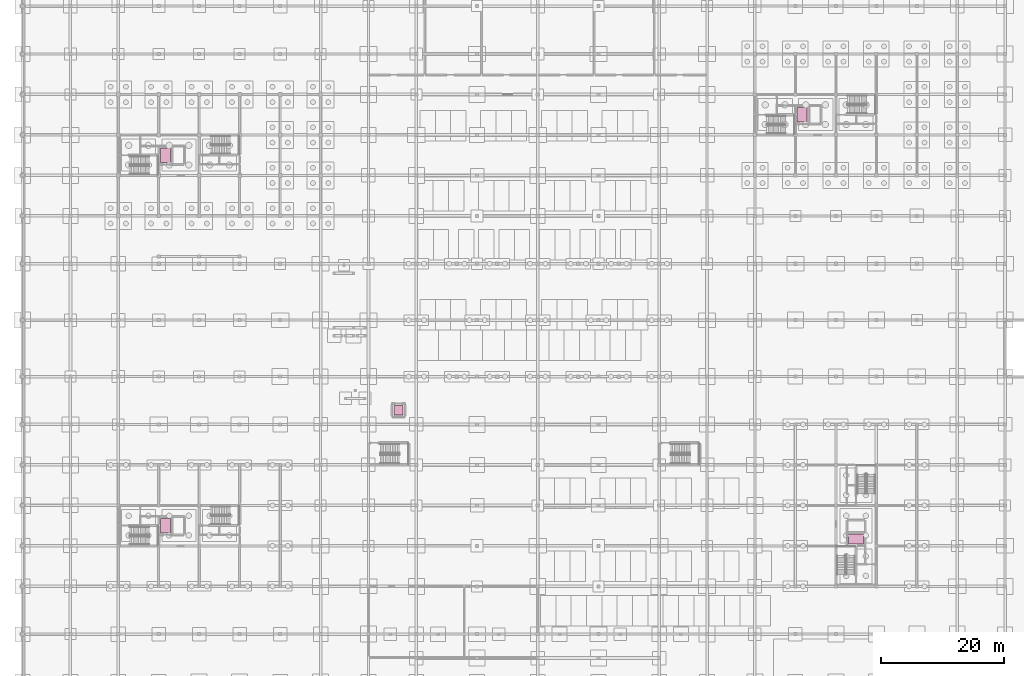
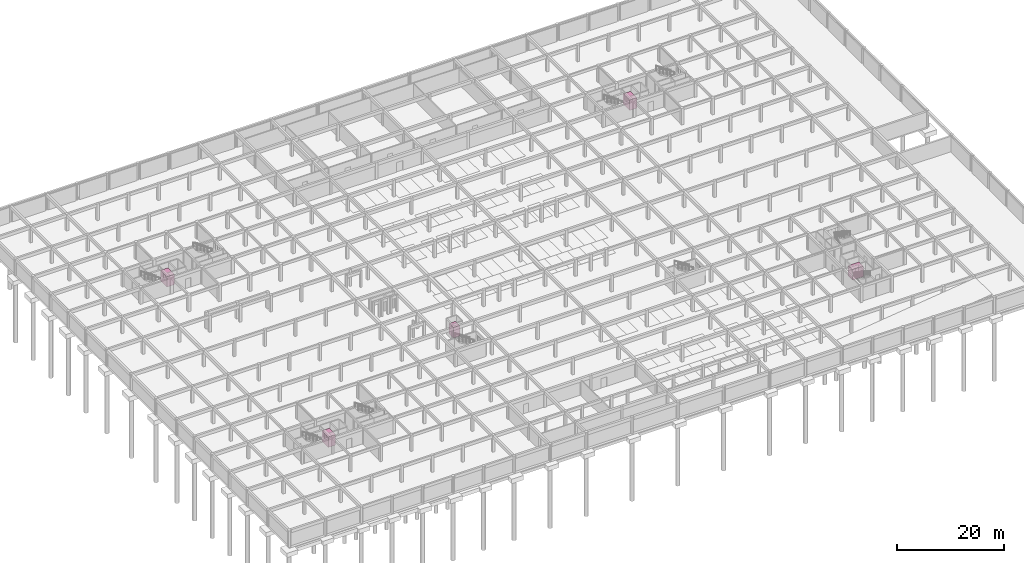
# One storey, part 37 of 37: 5 transport elements.
"""IFC4 building model written with IfcOpenShell, lengths in metres."""

from ifc_helpers import new_model, si_unit, direction, frame, origin, origin_2d, place, context, subcontext, project, spatial, rectangle, extrude, material, type_object, element, save


model = new_model("IFC4")

# Units and contexts
model_context = context("Model", 3, precision=1e-05, world=origin(), true_north=direction((0.0, 1.0)))
body_context = subcontext(model_context, "Body", "Model", "MODEL_VIEW")
ifc_project = project(units=[si_unit("LENGTHUNIT", "METRE"), si_unit("AREAUNIT", "SQUARE_METRE"), si_unit("VOLUMEUNIT", "CUBIC_METRE"), si_unit("PLANEANGLEUNIT", "RADIAN"), si_unit("MASSUNIT", "GRAM", prefix="KILO")], contexts=[model_context])

# Site, building, storey
site_placement = place(None, origin())
site = spatial("IfcSite", under=ifc_project, at=site_placement, CompositionType="ELEMENT")
building_placement = place(site_placement, origin())
building = spatial("IfcBuilding", under=site, at=building_placement, Name="Kernevlak Ridge Housing Community", CompositionType="ELEMENT")
storey_placement = place(building_placement, frame((0.0, 0.0, -3.800048828125)))
storey = spatial("IfcBuildingStorey", under=building, at=storey_placement, Name="B1", CompositionType="ELEMENT", Elevation=-3.800048828125)

# Transport elements
ifc_material = material(Name="Stainless steel EN 1.4401", Category="steel")
transport_element_type_1 = type_object("IfcTransportElementType", Name="LT-01", PredefinedType="ELEVATOR", material=ifc_material)
for number, where, z_axis, x_axis, name in (
    (1, (23.300048828125, 85.89990234375, 0.0), (0.0, 0.0, 1.0), (1.0, 0.0, 0.0), "Firefighting lift LF-A1"),
    (2, (127.10009765625, 92.5, 0.0), (0.0, 0.0, 1.0), (1.0, 0.0, 0.0), "Firefighting lift LF-B1"),
):
    element("IfcTransportElement", number, at=place(storey_placement, frame(where, z_axis=z_axis, x_axis=x_axis)), inside=storey, type_object=transport_element_type_1, Name=name, PredefinedType="ELEVATOR", context=body_context, shape_type="SweptSolid", body=[
        extrude(rectangle(XDim=1.60009765625, YDim=2.39990234375, at=origin_2d()), origin(), (0.0, 0.0, 1.0), 2.39990234375),
    ])
transport_element_1_placement = place(storey_placement, frame((135.89990234375, 23.300048828125, 0.0), z_axis=(0.0, 0.0, 1.0), x_axis=(1.0, 0.0, 0.0)))
element("IfcTransportElement", 3, at=transport_element_1_placement, inside=storey, type_object=transport_element_type_1, Name="Firefighting lift LF-C1", PredefinedType="ELEVATOR", context=body_context, shape_type="SweptSolid", body=[
    extrude(rectangle(XDim=2.39990234375, YDim=1.60009765625, at=origin_2d()), origin(), (0.0, 0.0, 1.0), 2.39990234375),
])
transport_element_2_placement = place(storey_placement, frame((23.300048828125, 25.5, 0.0), z_axis=(0.0, 0.0, 1.0), x_axis=(1.0, 0.0, 0.0)))
element("IfcTransportElement", 4, at=transport_element_2_placement, inside=storey, type_object=transport_element_type_1, Name="Firefighting lift LF-D1", PredefinedType="ELEVATOR", context=body_context, shape_type="SweptSolid", body=[
    extrude(rectangle(XDim=1.60009765625, YDim=2.39990234375, at=origin_2d()), origin(), (0.0, 0.0, 1.0), 2.39990234375),
])
transport_element_type_2 = type_object("IfcTransportElementType", Name="LT-02", PredefinedType="ELEVATOR", material=ifc_material)
transport_element_3_placement = place(storey_placement, frame((61.300048828125, 44.300048828125, 0.0), z_axis=(0.0, 0.0, 1.0), x_axis=(1.0, 0.0, 0.0)))
element("IfcTransportElement", 5, at=transport_element_3_placement, inside=storey, type_object=transport_element_type_2, Name="Passenger lift LF-P1", PredefinedType="ELEVATOR", context=body_context, shape_type="SweptSolid", body=[
    extrude(rectangle(XDim=1.39990234375, YDim=1.60009765625, at=origin_2d()), origin(), (0.0, 0.0, 1.0), 2.39990234375),
])

save(model, "model.ifc")
